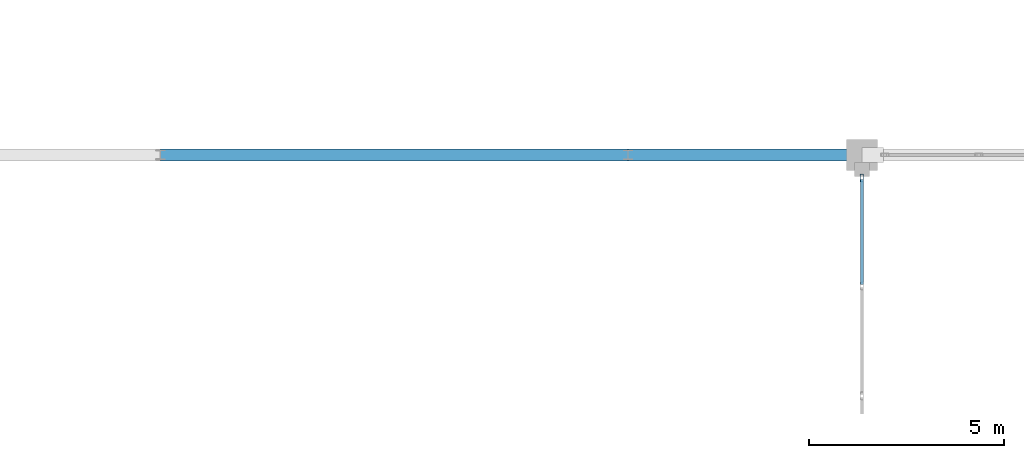
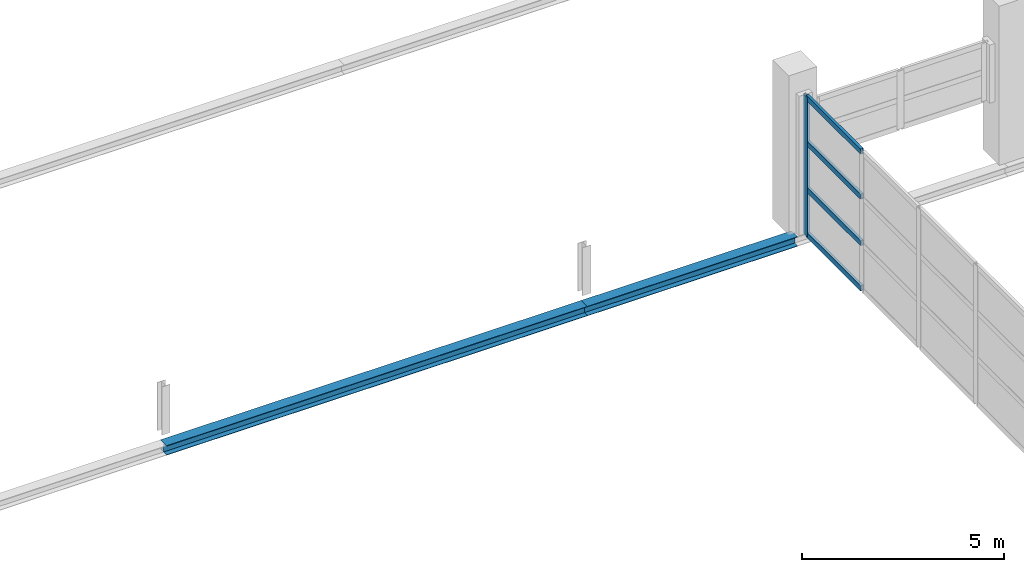
# One storey, part 49 of 86: 5 members, 2 beams, 1 element without a shape of its own.
"""IFC4 building model written with IfcOpenShell, lengths in metres."""

from ifc_helpers import new_model, si_unit, direction, frame, origin, origin_2d, place, context, subcontext, project, spatial, hollow_rectangle, i_section, extrude, material, layer, layer_set, material_profile, profile_set, type_object, element, aggregate, save


model = new_model("IFC4")

# Units and contexts
model_context = context("Model", 3, precision=1e-05, world=origin(), true_north=direction((0.0, 1.0)))
body_context = subcontext(model_context, "Body", "Model", "MODEL_VIEW")
ifc_project = project(units=[si_unit("LENGTHUNIT", "METRE"), si_unit("AREAUNIT", "SQUARE_METRE"), si_unit("VOLUMEUNIT", "CUBIC_METRE"), si_unit("PLANEANGLEUNIT", "RADIAN"), si_unit("MASSUNIT", "GRAM", prefix="KILO")], contexts=[model_context])

# Site, building, storey
site_placement = place(None, origin())
site = spatial("IfcSite", under=ifc_project, at=site_placement, CompositionType="ELEMENT")
building_placement = place(site_placement, origin())
building = spatial("IfcBuilding", under=site, at=building_placement, Name="Zilviju Railside Exhibition Hall", CompositionType="ELEMENT")
storey_placement = place(building_placement, frame((0.0, 0.0, 12.60009765625)))
storey = spatial("IfcBuildingStorey", under=building, at=storey_placement, Name="L04", CompositionType="ELEMENT", Elevation=12.60009765625)

# Beams
ifc_material_1 = material(Name="Steel S355J2", Category="steel")
ifc_material_profile_1 = material_profile(ifc_material_1, i_section(OverallWidth=0.300048828125, OverallDepth=0.2900390625, WebThickness=0.008544921875, FlangeThickness=0.013916015625, at=origin_2d()), Name="HEA 300")
ifc_profile_set_1 = profile_set([ifc_material_profile_1], Name="Steel S355J2")
beam_type = type_object("IfcBeamType", Name="BM-HEA300", PredefinedType="SPANDREL", material=ifc_profile_set_1)
beam_1_placement = place(storey_placement, frame((60.0, 138.0, -0.485107421875), z_axis=(1.0, 0.0, 0.0), x_axis=(0.0, 1.0, 0.0)))
element("IfcBeam", 1, at=beam_1_placement, inside=storey, type_object=beam_type, Name="Primary Girder L04 Y=138.0 (60.0..72.0)", PredefinedType="SPANDREL", context=body_context, shape_type="SweptSolid", body=[
    extrude(i_section(OverallWidth=0.300048828125, OverallDepth=0.2900390625, WebThickness=0.008544921875, FlangeThickness=0.013916015625, at=origin_2d()), origin(), (0.0, 0.0, 1.0), 12.0),
])
beam_2_placement = place(storey_placement, frame((72.0, 138.0, -0.485107421875), z_axis=(1.0, 0.0, 0.0), x_axis=(0.0, 1.0, 0.0)))
element("IfcBeam", 2, at=beam_2_placement, inside=storey, type_object=beam_type, Name="Primary Girder L04 Y=138.0 (72.0..78.0)", PredefinedType="SPANDREL", context=body_context, shape_type="SweptSolid", body=[
    extrude(i_section(OverallWidth=0.300048828125, OverallDepth=0.2900390625, WebThickness=0.008544921875, FlangeThickness=0.013916015625, at=origin_2d()), origin(), (0.0, 0.0, 1.0), 6.0),
])

# Curtain wall, members
ifc_material_2 = material(Name="Thermally broken aluminium-steel triple-glazed curtain wall", Category="steel")
ifc_layer = layer(ifc_material_2, 0.179931640625)
ifc_layer_set = layer_set([ifc_layer], Name="Thermally broken aluminium-steel triple-glazed curtain wall")
curtain_wall_type = type_object("IfcCurtainWallType", Name="CW-BAY-18", PredefinedType="USERDEFINED", material=ifc_layer_set)
curtain_wall_placement = place(storey_placement, origin())
curtain_wall = element("IfcCurtainWall", 3, at=curtain_wall_placement, inside=storey, type_object=curtain_wall_type, Name="North Hall West Upper Glazed Gable (120..138)", ObjectType="GLAZED CURTAIN WALL", PredefinedType="USERDEFINED")
ifc_material_3 = material(Name="Thermally broken anodized aluminium mullion", Category="aluminium")
ifc_material_profile_2 = material_profile(ifc_material_3, hollow_rectangle(XDim=0.080078125, YDim=0.199951171875, WallThickness=0.0048828125, at=origin_2d()), Name="MULLION 200x80x5")
ifc_profile_set_2 = profile_set([ifc_material_profile_2], Name="Thermally broken anodized aluminium mullion")
member_type_1 = type_object("IfcMemberType", Name="CWM-80x200", PredefinedType="MULLION", material=ifc_profile_set_2)
member_1_placement = place(storey_placement, frame((78.0, 137.409912109375, 0.0), z_axis=(0.0, 0.0, 1.0), x_axis=(-1.0, 0.0, 0.0)))
member_1 = element("IfcMember", 4, at=member_1_placement, type_object=member_type_1, Name="CW-18 mullion 7", PredefinedType="MULLION", context=body_context, shape_type="SweptSolid", body=[
    extrude(hollow_rectangle(XDim=0.080078125, YDim=0.199951171875, WallThickness=0.0048828125, at=origin_2d()), origin(), (0.0, 0.0, 1.0), 4.199951171875),
])
ifc_material_4 = material(Name="Thermally broken anodized aluminium transom", Category="aluminium")
ifc_material_profile_3 = material_profile(ifc_material_4, hollow_rectangle(XDim=0.080078125, YDim=0.159912109375, WallThickness=0.0048828125, at=origin_2d()), Name="TRANSOM 160x80x5")
ifc_profile_set_3 = profile_set([ifc_material_profile_3], Name="Thermally broken anodized aluminium transom")
member_type_2 = type_object("IfcMemberType", Name="CWT-80x160", PredefinedType="USERDEFINED", material=ifc_profile_set_3)
member_2_placement = place(storey_placement, frame((78.0, 134.67333984375, 0.039794921875), z_axis=(0.0, 1.0, 0.0), x_axis=(-1.0, 0.0, 0.0)))
member_2 = element("IfcMember", 5, at=member_2_placement, type_object=member_type_2, Name="CW-18 transom 6.1", ObjectType="TRANSOM", PredefinedType="USERDEFINED", context=body_context, shape_type="SweptSolid", body=[
    extrude(hollow_rectangle(XDim=0.080078125, YDim=0.159912109375, WallThickness=0.0048828125, at=origin_2d()), origin(), (0.0, 0.0, 1.0), 2.69677734375),
])
member_3_placement = place(storey_placement, frame((78.0, 134.67333984375, 1.39990234375), z_axis=(0.0, 1.0, 0.0), x_axis=(-1.0, 0.0, 0.0)))
member_3 = element("IfcMember", 6, at=member_3_placement, type_object=member_type_2, Name="CW-18 transom 6.2", ObjectType="TRANSOM", PredefinedType="USERDEFINED", context=body_context, shape_type="SweptSolid", body=[
    extrude(hollow_rectangle(XDim=0.080078125, YDim=0.159912109375, WallThickness=0.0048828125, at=origin_2d()), origin(), (0.0, 0.0, 1.0), 2.69677734375),
])
member_4_placement = place(storey_placement, frame((78.0, 134.67333984375, 2.7998046875), z_axis=(0.0, 1.0, 0.0), x_axis=(-1.0, 0.0, 0.0)))
member_4 = element("IfcMember", 7, at=member_4_placement, type_object=member_type_2, Name="CW-18 transom 6.3", ObjectType="TRANSOM", PredefinedType="USERDEFINED", context=body_context, shape_type="SweptSolid", body=[
    extrude(hollow_rectangle(XDim=0.080078125, YDim=0.159912109375, WallThickness=0.0048828125, at=origin_2d()), origin(), (0.0, 0.0, 1.0), 2.69677734375),
])
member_5_placement = place(storey_placement, frame((78.0, 134.67333984375, 4.159912109375), z_axis=(0.0, 1.0, 0.0), x_axis=(-1.0, 0.0, 0.0)))
member_5 = element("IfcMember", 8, at=member_5_placement, type_object=member_type_2, Name="CW-18 transom 6.4", ObjectType="TRANSOM", PredefinedType="USERDEFINED", context=body_context, shape_type="SweptSolid", body=[
    extrude(hollow_rectangle(XDim=0.080078125, YDim=0.159912109375, WallThickness=0.0048828125, at=origin_2d()), origin(), (0.0, 0.0, 1.0), 2.69677734375),
])
aggregate(curtain_wall, [member_1, member_2, member_3, member_4, member_5])

save(model, "model.ifc")
